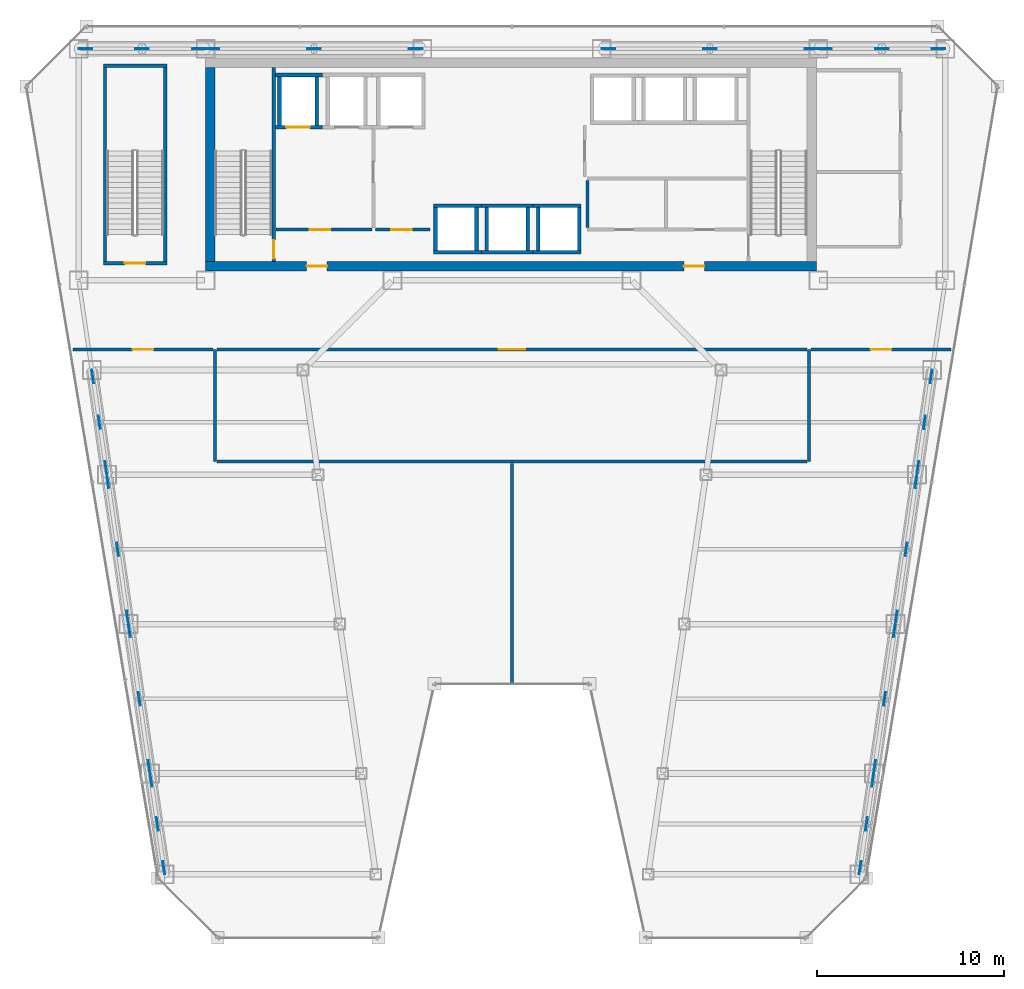
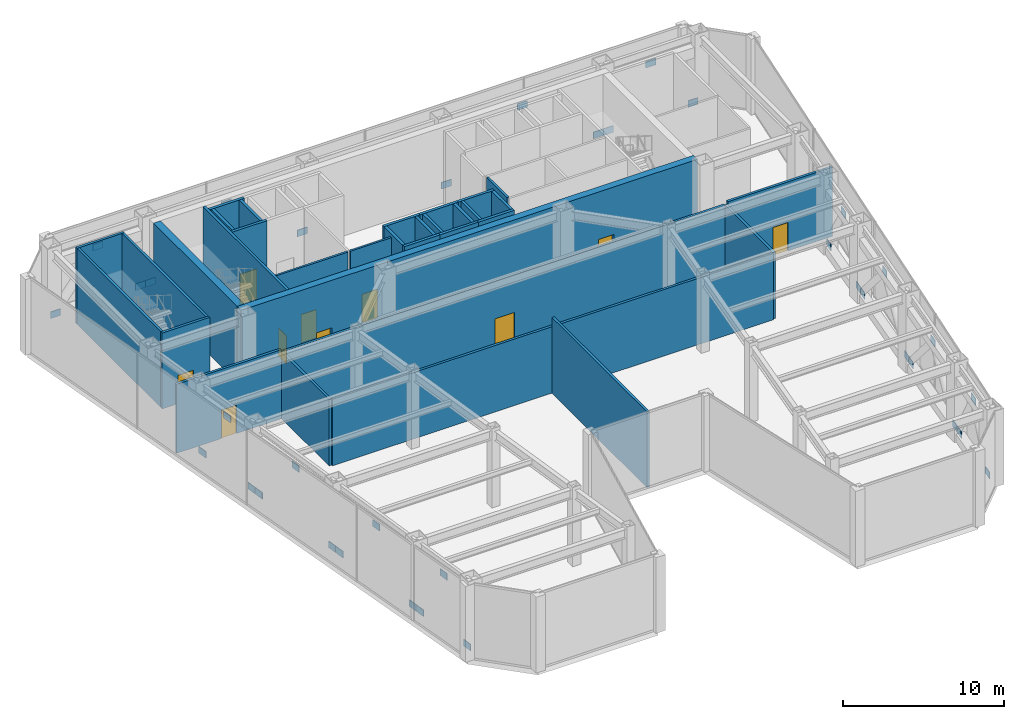
# One storey, part 25 of 30: 36 plates, 33 walls, 10 doors, 10 openings.
"""IFC4 building model written with IfcOpenShell, lengths in metres."""

from ifc_helpers import new_model, si_unit, direction, frame, frame_2d, origin, origin_2d, place, context, subcontext, project, spatial, rectangle, extrude, material, layer, layer_set, type_object, element, fill, save


model = new_model("IFC4")

# Units and contexts
model_context = context("Model", 3, precision=1e-05, world=origin(), true_north=direction((0.0, 1.0)))
body_context = subcontext(model_context, "Body", "Model", "MODEL_VIEW")
ifc_project = project(units=[si_unit("LENGTHUNIT", "METRE"), si_unit("AREAUNIT", "SQUARE_METRE"), si_unit("VOLUMEUNIT", "CUBIC_METRE"), si_unit("PLANEANGLEUNIT", "RADIAN"), si_unit("MASSUNIT", "GRAM", prefix="KILO")], contexts=[model_context])

# Site, building, storey
site_placement = place(None, origin())
site = spatial("IfcSite", under=ifc_project, at=site_placement, CompositionType="ELEMENT")
building_placement = place(site_placement, origin())
building = spatial("IfcBuilding", under=site, at=building_placement, Name="Saevonmaru Cultural Tower", CompositionType="ELEMENT")
storey_placement = place(building_placement, frame((0.0, 0.0, 123.60009765625)))
storey = spatial("IfcBuildingStorey", under=building, at=storey_placement, Name="L26", CompositionType="ELEMENT", Elevation=123.60009765625)

# Plates
ifc_material_1 = material(Name="Steel HSA600 (600 MPa)", Category="steel")
ifc_layer_1 = layer(ifc_material_1, 0.044921875, Name="Steel HSA600 (600 MPa)")
ifc_layer_set_1 = layer_set([ifc_layer_1], Name="Steel HSA600 (600 MPa)")
plate_type_1 = type_object("IfcPlateType", Name="PL-GUSSET-BELT", PredefinedType="USERDEFINED", material=ifc_layer_set_1)
for number, where, z_axis, x_axis, name in (
    (1, (11.35693359375, 10.9560546875, 0.2998046875), (0.0, 0.0, 1.0), (-0.142957148085, 0.989728878942, 0.0), "L26 Truss Base Gusset Plate BW1-1"),
    (2, (10.678955078125, 15.64404296875, 0.2998046875), (0.0, 0.0, 1.0), (-0.142957148085, 0.989728878942, 0.0), "L26 Truss Base Gusset Plate BW1-2"),
    (3, (11.01806640625, 13.300048828125, 4.349853515625), (0.0, 0.0, 1.0), (-0.142957148085, 0.989728878942, 0.0), "L26 Truss Node Gusset Plate BW1"),
    (4, (10.576904296875, 16.35595703125, 0.2998046875), (0.0, 0.0, 1.0), (-0.143008969972, 0.989721392366, 0.0), "L26 Truss Base Gusset Plate BW2-1"),
    (5, (9.52294921875, 23.64404296875, 0.2998046875), (0.0, 0.0, 1.0), (-0.143008969972, 0.989721392366, 0.0), "L26 Truss Base Gusset Plate BW2-2"),
    (6, (10.050048828125, 20.0, 4.349853515625), (0.0, 0.0, 1.0), (-0.143008969972, 0.989721392366, 0.0), "L26 Truss Node Gusset Plate BW2"),
    (7, (9.4208984375, 24.35595703125, 0.2998046875), (0.0, 0.0, 1.0), (-0.142888051626, 0.989738856822, 0.0), "L26 Truss Base Gusset Plate BW3-1"),
    (8, (8.367919921875, 31.64404296875, 0.2998046875), (0.0, 0.0, 1.0), (-0.142888051626, 0.989738856822, 0.0), "L26 Truss Base Gusset Plate BW3-2"),
    (9, (8.89501953125, 28.0, 4.349853515625), (0.0, 0.0, 1.0), (-0.142888051626, 0.989738856822, 0.0), "L26 Truss Node Gusset Plate BW3"),
    (10, (8.26611328125, 32.35595703125, 0.2998046875), (0.0, 0.0, 1.0), (-0.142974422091, 0.989726383718, 0.0), "L26 Truss Base Gusset Plate BW4-1"),
    (11, (7.55908203125, 37.243896484375, 0.2998046875), (0.0, 0.0, 1.0), (-0.142974422091, 0.989726383718, 0.0), "L26 Truss Base Gusset Plate BW4-2"),
    (12, (7.912109375, 34.800048828125, 4.349853515625), (0.0, 0.0, 1.0), (-0.142974422091, 0.989726383718, 0.0), "L26 Truss Node Gusset Plate BW4"),
    (13, (48.64306640625, 10.9560546875, 0.2998046875), (0.0, 0.0, 1.0), (0.142957148085, 0.989728878942, 0.0), "L26 Truss Base Gusset Plate BE1-1"),
    (14, (49.321044921875, 15.64404296875, 0.2998046875), (0.0, 0.0, 1.0), (0.142957148085, 0.989728878942, 0.0), "L26 Truss Base Gusset Plate BE1-2"),
    (15, (48.98193359375, 13.300048828125, 4.349853515625), (0.0, 0.0, 1.0), (0.142957148085, 0.989728878942, 0.0), "L26 Truss Node Gusset Plate BE1"),
    (16, (49.423095703125, 16.35595703125, 0.2998046875), (0.0, 0.0, 1.0), (0.143008969972, 0.989721392366, 0.0), "L26 Truss Base Gusset Plate BE2-1"),
    (17, (50.47705078125, 23.64404296875, 0.2998046875), (0.0, 0.0, 1.0), (0.143008969972, 0.989721392366, 0.0), "L26 Truss Base Gusset Plate BE2-2"),
    (18, (49.949951171875, 20.0, 4.349853515625), (0.0, 0.0, 1.0), (0.143008969972, 0.989721392366, 0.0), "L26 Truss Node Gusset Plate BE2"),
    (19, (50.5791015625, 24.35595703125, 0.2998046875), (0.0, 0.0, 1.0), (0.142888051626, 0.989738856822, 0.0), "L26 Truss Base Gusset Plate BE3-1"),
    (20, (51.632080078125, 31.64404296875, 0.2998046875), (0.0, 0.0, 1.0), (0.142888051626, 0.989738856822, 0.0), "L26 Truss Base Gusset Plate BE3-2"),
    (21, (51.10498046875, 28.0, 4.349853515625), (0.0, 0.0, 1.0), (0.142888051626, 0.989738856822, 0.0), "L26 Truss Node Gusset Plate BE3"),
    (22, (51.73388671875, 32.35595703125, 0.2998046875), (0.0, 0.0, 1.0), (0.142974422091, 0.989726383718, 0.0), "L26 Truss Base Gusset Plate BE4-1"),
    (23, (52.44091796875, 37.243896484375, 0.2998046875), (0.0, 0.0, 1.0), (0.142974422091, 0.989726383718, 0.0), "L26 Truss Base Gusset Plate BE4-2"),
    (24, (52.0869140625, 34.800048828125, 4.349853515625), (0.0, 0.0, 1.0), (0.142974422091, 0.989726383718, 0.0), "L26 Truss Node Gusset Plate BE4"),
):
    element("IfcPlate", number, at=place(storey_placement, frame(where, z_axis=z_axis, x_axis=x_axis)), inside=storey, type_object=plate_type_1, Name=name, ObjectType="GUSSET_PLATE", PredefinedType="USERDEFINED", context=body_context, shape_type="SweptSolid", body=[
        extrude(rectangle(XDim=0.719970703125, YDim=0.044921875, at=origin_2d()), origin(), (0.0, 0.0, 1.0), 0.5),
    ])
ifc_layer_2 = layer(ifc_material_1, 0.044921875, Name="Steel HSA600 (600 MPa)")
ifc_layer_set_2 = layer_set([ifc_layer_2], Name="Steel HSA600 (600 MPa)")
plate_type_2 = type_object("IfcPlateType", Name="PL-GUSSET-INT", PredefinedType="USERDEFINED", material=ifc_layer_set_2)
for number, where, z_axis, x_axis, name in (
    (25, (13.9599609375, 54.800048828125, 0.2998046875), (0.0, 0.0, 1.0), (1.0, 0.0, 0.0), "L26 Truss Base Gusset Plate OW1-1"),
    (26, (24.840087890625, 54.800048828125, 0.2998046875), (0.0, 0.0, 1.0), (1.0, 0.0, 0.0), "L26 Truss Base Gusset Plate OW1-2"),
    (27, (19.39990234375, 54.800048828125, 4.349853515625), (0.0, 0.0, 1.0), (1.0, 0.0, 0.0), "L26 Truss Node Gusset Plate OW1"),
    (28, (35.159912109375, 54.800048828125, 0.2998046875), (0.0, 0.0, 1.0), (1.0, 0.0, 0.0), "L26 Truss Base Gusset Plate OE1-1"),
    (29, (46.0400390625, 54.800048828125, 0.2998046875), (0.0, 0.0, 1.0), (1.0, 0.0, 0.0), "L26 Truss Base Gusset Plate OE1-2"),
    (30, (40.60009765625, 54.800048828125, 4.349853515625), (0.0, 0.0, 1.0), (1.0, 0.0, 0.0), "L26 Truss Node Gusset Plate OE1"),
    (31, (7.159912109375, 54.800048828125, 0.2998046875), (0.0, 0.0, 1.0), (1.0, 0.0, 0.0), "L26 Truss Base Gusset Plate OW2-1"),
    (32, (13.239990234375, 54.800048828125, 0.2998046875), (0.0, 0.0, 1.0), (1.0, 0.0, 0.0), "L26 Truss Base Gusset Plate OW2-2"),
    (33, (10.199951171875, 54.800048828125, 4.349853515625), (0.0, 0.0, 1.0), (1.0, 0.0, 0.0), "L26 Truss Node Gusset Plate OW2"),
    (34, (46.760009765625, 54.800048828125, 0.2998046875), (0.0, 0.0, 1.0), (1.0, 0.0, 0.0), "L26 Truss Base Gusset Plate OE2-1"),
    (35, (52.840087890625, 54.800048828125, 0.2998046875), (0.0, 0.0, 1.0), (1.0, 0.0, 0.0), "L26 Truss Base Gusset Plate OE2-2"),
    (36, (49.800048828125, 54.800048828125, 4.349853515625), (0.0, 0.0, 1.0), (1.0, 0.0, 0.0), "L26 Truss Node Gusset Plate OE2"),
):
    element("IfcPlate", number, at=place(storey_placement, frame(where, z_axis=z_axis, x_axis=x_axis)), inside=storey, type_object=plate_type_2, Name=name, ObjectType="GUSSET_PLATE", PredefinedType="USERDEFINED", context=body_context, shape_type="SweptSolid", body=[
        extrude(rectangle(XDim=0.719970703125, YDim=0.044921875, at=origin_2d()), origin(), (0.0, 0.0, 1.0), 0.5),
    ])

# Wall, openings, doors
ifc_material_2 = material(Name="Concrete C60/75", Category="concrete")
ifc_layer_3 = layer(ifc_material_2, 0.5, Name="Concrete C60/75")
ifc_layer_set_3 = layer_set([ifc_layer_3], Name="Concrete C60/75")
wall_type_1 = type_object("IfcWallType", Name="WL-CORE-500", PredefinedType="SHEAR", material=ifc_layer_set_3)
wall_1_placement = place(storey_placement, frame((13.60009765625, 43.14990234375, 0.0), z_axis=(0.0, 0.0, 1.0), x_axis=(1.0, 0.0, 0.0)))
wall_1 = element("IfcWall", 37, at=wall_1_placement, inside=storey, type_object=wall_type_1, Name="L26 Tower RC core shear wall S", PredefinedType="SHEAR", context=body_context, shape_type="SweptSolid", body=[
    extrude(rectangle(XDim=32.699951171875, YDim=0.5, at=frame_2d((16.35009765625, 0.0))), origin(), (0.0, 0.0, 1.0), 5.75),
])
opening_1_placement = place(wall_1_placement, frame((5.39990234375, 0.0, 0.0)))
opening_1 = element("IfcOpeningElement", 38, at=opening_1_placement, cuts=wall_1, Name="Opening FD-2", PredefinedType="OPENING", context=body_context, shape_type="SweptSolid", body=[
    extrude(rectangle(XDim=1.10009765625, YDim=2.14990234375, at=frame_2d((0.550048828125, 1.074951171875))), frame((0.0, 0.260009765625, 0.0), z_axis=(0.0, -1.0, 0.0), x_axis=(1.0, 0.0, 0.0)), (0.0, 0.0, 1.0), 0.52001953125),
])
opening_2_placement = place(wall_1_placement, frame((25.60009765625, 0.0, 0.0)))
opening_2 = element("IfcOpeningElement", 39, at=opening_2_placement, cuts=wall_1, Name="Opening FD-2", PredefinedType="OPENING", context=body_context, shape_type="SweptSolid", body=[
    extrude(rectangle(XDim=1.10009765625, YDim=2.14990234375, at=frame_2d((0.550048828125, 1.074951171875))), frame((0.0, 0.260009765625, 0.0), z_axis=(0.0, -1.0, 0.0), x_axis=(1.0, 0.0, 0.0)), (0.0, 0.0, 1.0), 0.52001953125),
])
ifc_material_3 = material(Name="Satin Bronze Anodised Aluminium", Category="aluminium")
door_type_1 = type_object("IfcDoorType", Name="DR-FD60-1100", OperationType="SINGLE_SWING_LEFT", PredefinedType="DOOR", material=ifc_material_3)
door_1_placement = place(opening_1_placement, origin())
door_1 = element("IfcDoor", 40, at=door_1_placement, inside=storey, type_object=door_type_1, Name="L26 Core West Lobby Fire Door", OperationType="SINGLE_SWING_LEFT", OverallHeight=2.14990234375, OverallWidth=1.10009765625, PredefinedType="DOOR", context=body_context, shape_type="SweptSolid", body=[
    extrude(rectangle(XDim=1.10009765625, YDim=2.14990234375, at=frame_2d((0.550048828125, 1.074951171875))), frame((0.0, 0.02490234375, 0.0), z_axis=(0.0, -1.0, 0.0), x_axis=(1.0, 0.0, 0.0)), (0.0, 0.0, 1.0), 0.050048828125),
])
fill(opening_1, door_1)
door_2_placement = place(opening_2_placement, origin())
door_2 = element("IfcDoor", 41, at=door_2_placement, inside=storey, type_object=door_type_1, Name="L26 Core East Lobby Fire Door", OperationType="SINGLE_SWING_LEFT", OverallHeight=2.14990234375, OverallWidth=1.10009765625, PredefinedType="DOOR", context=body_context, shape_type="SweptSolid", body=[
    extrude(rectangle(XDim=1.10009765625, YDim=2.14990234375, at=frame_2d((0.550048828125, 1.074951171875))), frame((0.0, 0.02490234375, 0.0), z_axis=(0.0, -1.0, 0.0), x_axis=(1.0, 0.0, 0.0)), (0.0, 0.0, 1.0), 0.050048828125),
])
fill(opening_2, door_2)

# Wall
wall_2_placement = place(storey_placement, frame((13.85009765625, 43.39990234375, 0.0), z_axis=(0.0, 0.0, 1.0), x_axis=(0.0, 1.0, 0.0)))
element("IfcWall", 42, at=wall_2_placement, inside=storey, type_object=wall_type_1, Name="L26 Tower RC core shear wall W", PredefinedType="SHEAR", context=body_context, shape_type="SweptSolid", body=[
    extrude(rectangle(XDim=10.400146484375, YDim=0.5, at=frame_2d((5.2001953125, 0.0))), origin(), (0.0, 0.0, 1.0), 5.75),
])

# Wall, opening, door
ifc_material_4 = material(Name="Gypsum Fireboard Partition", Category="gypsum")
ifc_layer_4 = layer(ifc_material_4, 0.14990234375, Name="Gypsum Fireboard Partition")
ifc_layer_set_4 = layer_set([ifc_layer_4], Name="Gypsum Fireboard Partition")
wall_type_2 = type_object("IfcWallType", Name="WL-CORE-PART-150", PredefinedType="PARTITIONING", material=ifc_layer_set_4)
wall_3_placement = place(storey_placement, frame((17.360107421875, 45.1201171875, 0.0), z_axis=(0.0, 0.0, 1.0), x_axis=(1.0, 0.0, 0.0)))
wall_3 = element("IfcWall", 43, at=wall_3_placement, inside=storey, type_object=wall_type_2, Name="L26 Firefighting Lift Lobby South Wall", PredefinedType="PARTITIONING", context=body_context, shape_type="SweptSolid", body=[
    extrude(rectangle(XDim=5.139892578125, YDim=0.14990234375, at=frame_2d((2.56982421875, 0.0))), origin(), (0.0, 0.0, 1.0), 5.75),
])
opening_3_placement = place(wall_3_placement, frame((1.800048828125, 0.0, 0.0)))
opening_3 = element("IfcOpeningElement", 44, at=opening_3_placement, cuts=wall_3, Name="Opening FD-2", PredefinedType="OPENING", context=body_context, shape_type="SweptSolid", body=[
    extrude(rectangle(XDim=1.10009765625, YDim=2.14990234375, at=frame_2d((0.550048828125, 1.074951171875))), frame((0.0, 0.0849609375, 0.0), z_axis=(0.0, -1.0, 0.0), x_axis=(1.0, 0.0, 0.0)), (0.0, 0.0, 1.0), 0.169921875),
])
door_3_placement = place(opening_3_placement, origin())
door_3 = element("IfcDoor", 45, at=door_3_placement, inside=storey, type_object=door_type_1, Name="L26 Firefighting Lift Lobby South Door", OperationType="SINGLE_SWING_LEFT", OverallHeight=2.14990234375, OverallWidth=1.10009765625, PredefinedType="DOOR", context=body_context, shape_type="SweptSolid", body=[
    extrude(rectangle(XDim=1.10009765625, YDim=2.14990234375, at=frame_2d((0.550048828125, 1.074951171875))), frame((0.0, 0.02490234375, 0.0), z_axis=(0.0, -1.0, 0.0), x_axis=(1.0, 0.0, 0.0)), (0.0, 0.0, 1.0), 0.050048828125),
])
fill(opening_3, door_3)

wall_4_placement = place(storey_placement, frame((22.679931640625, 45.1201171875, 0.0), z_axis=(0.0, 0.0, 1.0), x_axis=(1.0, 0.0, 0.0)))
wall_4 = element("IfcWall", 46, at=wall_4_placement, inside=storey, type_object=wall_type_2, Name="L26 Service Lift Vestibule Wall", PredefinedType="PARTITIONING", context=body_context, shape_type="SweptSolid", body=[
    extrude(rectangle(XDim=2.920166015625, YDim=0.14990234375, at=frame_2d((1.4599609375, 0.0))), origin(), (0.0, 0.0, 1.0), 5.75),
])
opening_4_placement = place(wall_4_placement, frame((0.85009765625, 0.0, 0.0)))
opening_4 = element("IfcOpeningElement", 47, at=opening_4_placement, cuts=wall_4, Name="Opening FD-2", PredefinedType="OPENING", context=body_context, shape_type="SweptSolid", body=[
    extrude(rectangle(XDim=1.10009765625, YDim=2.14990234375, at=frame_2d((0.550048828125, 1.074951171875))), frame((0.0, 0.0849609375, 0.0), z_axis=(0.0, -1.0, 0.0), x_axis=(1.0, 0.0, 0.0)), (0.0, 0.0, 1.0), 0.169921875),
])
door_4_placement = place(opening_4_placement, origin())
door_4 = element("IfcDoor", 48, at=door_4_placement, inside=storey, type_object=door_type_1, Name="L26 Service Lift Vestibule Door", OperationType="SINGLE_SWING_LEFT", OverallHeight=2.14990234375, OverallWidth=1.10009765625, PredefinedType="DOOR", context=body_context, shape_type="SweptSolid", body=[
    extrude(rectangle(XDim=1.10009765625, YDim=2.14990234375, at=frame_2d((0.550048828125, 1.074951171875))), frame((0.0, 0.02490234375, 0.0), z_axis=(0.0, -1.0, 0.0), x_axis=(1.0, 0.0, 0.0)), (0.0, 0.0, 1.0), 0.050048828125),
])
fill(opening_4, door_4)

# Walls
wall_5_placement = place(storey_placement, frame((34.050048828125, 45.219970703125, 0.0), z_axis=(0.0, 0.0, 1.0), x_axis=(0.0, 1.0, 0.0)))
element("IfcWall", 49, at=wall_5_placement, inside=storey, type_object=wall_type_2, Name="L26 Core Plant West Wall", PredefinedType="PARTITIONING", context=body_context, shape_type="SweptSolid", body=[
    extrude(rectangle(XDim=2.530029296875, YDim=0.14990234375, at=frame_2d((1.26513671875, 0.0))), origin(), (0.0, 0.0, 1.0), 5.75),
])
ifc_layer_5 = layer(ifc_material_4, 0.179931640625, Name="Gypsum Fireboard Partition")
ifc_layer_set_5 = layer_set([ifc_layer_5], Name="Gypsum Fireboard Partition")
wall_type_3 = type_object("IfcWallType", Name="WL-PART-PLANT-180", PredefinedType="PARTITIONING", material=ifc_layer_set_5)
for number, where, z_axis, x_axis, name in (
    (50, (14.10009765625, 32.699951171875, 0.0), (0.0, 0.0, 1.0), (0.0, 1.0, 0.0), "L26 Main Refuge West Wall"),
    (51, (45.89990234375, 32.699951171875, 0.0), (0.0, 0.0, 1.0), (0.0, 1.0, 0.0), "L26 Main Refuge East Wall"),
):
    element("IfcWall", number, at=place(storey_placement, frame(where, z_axis=z_axis, x_axis=x_axis)), inside=storey, type_object=wall_type_3, Name=name, PredefinedType="PARTITIONING", context=body_context, shape_type="SweptSolid", body=[
        extrude(rectangle(XDim=6.0, YDim=0.179931640625, at=frame_2d((3.0, 0.0))), origin(), (0.0, 0.0, 1.0), 5.034912109375),
    ])
wall_6_placement = place(storey_placement, frame((14.2099609375, 32.699951171875, 0.0), z_axis=(0.0, 0.0, 1.0), x_axis=(1.0, 0.0, 0.0)))
element("IfcWall", 52, at=wall_6_placement, inside=storey, type_object=wall_type_3, Name="L26 Main Refuge South Wall", PredefinedType="PARTITIONING", context=body_context, shape_type="SweptSolid", body=[
    extrude(rectangle(XDim=31.580078125, YDim=0.179931640625, at=frame_2d((15.7900390625, 0.0))), origin(), (0.0, 0.0, 1.0), 5.034912109375),
])

# Wall, opening, door
wall_7_placement = place(storey_placement, frame((14.2099609375, 38.699951171875, 0.0), z_axis=(0.0, 0.0, 1.0), x_axis=(1.0, 0.0, 0.0)))
wall_7 = element("IfcWall", 53, at=wall_7_placement, inside=storey, type_object=wall_type_3, Name="L26 Main Refuge Promenade Wall", PredefinedType="PARTITIONING", context=body_context, shape_type="SweptSolid", body=[
    extrude(rectangle(XDim=31.580078125, YDim=0.179931640625, at=frame_2d((15.7900390625, 0.0))), origin(), (0.0, 0.0, 1.0), 5.034912109375),
])
opening_5_placement = place(wall_7_placement, frame((15.090087890625, 0.0, 0.0)))
opening_5 = element("IfcOpeningElement", 54, at=opening_5_placement, cuts=wall_7, Name="Opening FD-0", PredefinedType="OPENING", context=body_context, shape_type="SweptSolid", body=[
    extrude(rectangle(XDim=1.39990234375, YDim=2.199951171875, at=frame_2d((0.699951171875, 1.10009765625))), frame((0.0, 0.10009765625, 0.0), z_axis=(0.0, -1.0, 0.0), x_axis=(1.0, 0.0, 0.0)), (0.0, 0.0, 1.0), 0.199951171875),
])
door_type_2 = type_object("IfcDoorType", Name="DR-FD60-1400", OperationType="DOUBLE_DOOR_SINGLE_SWING", PredefinedType="DOOR", material=ifc_material_3)
door_5_placement = place(opening_5_placement, origin())
door_5 = element("IfcDoor", 55, at=door_5_placement, inside=storey, type_object=door_type_2, Name="L26 Main Fire Safety Refuge Hall Door", OperationType="DOUBLE_DOOR_SINGLE_SWING", OverallHeight=2.199951171875, OverallWidth=1.39990234375, PredefinedType="DOOR", context=body_context, shape_type="SweptSolid", body=[
    extrude(rectangle(XDim=1.39990234375, YDim=2.199951171875, at=frame_2d((0.699951171875, 1.10009765625))), frame((0.0, 0.02490234375, 0.0), z_axis=(0.0, -1.0, 0.0), x_axis=(1.0, 0.0, 0.0)), (0.0, 0.0, 1.0), 0.050048828125),
])
fill(opening_5, door_5)

# Wall
wall_8_placement = place(storey_placement, frame((30.0, 20.804931640625, 0.0), z_axis=(0.0, 0.0, 1.0), x_axis=(0.0, 1.0, 0.0)))
element("IfcWall", 56, at=wall_8_placement, inside=storey, type_object=wall_type_3, Name="L26 Plant Compartment Split", PredefinedType="PARTITIONING", context=body_context, shape_type="SweptSolid", body=[
    extrude(rectangle(XDim=11.78515625, YDim=0.179931640625, at=frame_2d((5.892578125, 0.0))), origin(), (0.0, 0.0, 1.0), 5.75),
])

# Wall, opening, door
wall_9_placement = place(storey_placement, frame((6.498779296875, 38.699951171875, 0.0), z_axis=(0.0, 0.0, 1.0), x_axis=(1.0, 0.0, 0.0)))
wall_9 = element("IfcWall", 57, at=wall_9_placement, inside=storey, type_object=wall_type_3, Name="L26 West AHU Plant North Wall", PredefinedType="PARTITIONING", context=body_context, shape_type="SweptSolid", body=[
    extrude(rectangle(XDim=7.4912109375, YDim=0.179931640625, at=frame_2d((3.74560546875, 0.0))), origin(), (0.0, 0.0, 1.0), 5.23486328125),
])
opening_6_placement = place(wall_9_placement, frame((3.196044921875, 0.0, 0.0)))
opening_6 = element("IfcOpeningElement", 58, at=opening_6_placement, cuts=wall_9, Name="Opening FD-2", PredefinedType="OPENING", context=body_context, shape_type="SweptSolid", body=[
    extrude(rectangle(XDim=1.10009765625, YDim=2.14990234375, at=frame_2d((0.550048828125, 1.074951171875))), frame((0.0, 0.10009765625, 0.0), z_axis=(0.0, -1.0, 0.0), x_axis=(1.0, 0.0, 0.0)), (0.0, 0.0, 1.0), 0.199951171875),
])
door_6_placement = place(opening_6_placement, origin())
door_6 = element("IfcDoor", 59, at=door_6_placement, inside=storey, type_object=door_type_1, Name="L26 Primary AHU Plant Door", OperationType="SINGLE_SWING_LEFT", OverallHeight=2.14990234375, OverallWidth=1.10009765625, PredefinedType="DOOR", context=body_context, shape_type="SweptSolid", body=[
    extrude(rectangle(XDim=1.10009765625, YDim=2.14990234375, at=frame_2d((0.550048828125, 1.074951171875))), frame((0.0, 0.02490234375, 0.0), z_axis=(0.0, -1.0, 0.0), x_axis=(1.0, 0.0, 0.0)), (0.0, 0.0, 1.0), 0.050048828125),
])
fill(opening_6, door_6)

wall_10_placement = place(storey_placement, frame((46.010009765625, 38.699951171875, 0.0), z_axis=(0.0, 0.0, 1.0), x_axis=(1.0, 0.0, 0.0)))
wall_10 = element("IfcWall", 60, at=wall_10_placement, inside=storey, type_object=wall_type_3, Name="L26 East Pump Plant North Wall", PredefinedType="PARTITIONING", context=body_context, shape_type="SweptSolid", body=[
    extrude(rectangle(XDim=7.4912109375, YDim=0.179931640625, at=frame_2d((3.74560546875, 0.0))), origin(), (0.0, 0.0, 1.0), 5.23486328125),
])
opening_7_placement = place(wall_10_placement, frame((3.196044921875, 0.0, 0.0)))
opening_7 = element("IfcOpeningElement", 61, at=opening_7_placement, cuts=wall_10, Name="Opening FD-2", PredefinedType="OPENING", context=body_context, shape_type="SweptSolid", body=[
    extrude(rectangle(XDim=1.10009765625, YDim=2.14990234375, at=frame_2d((0.550048828125, 1.074951171875))), frame((0.0, 0.10009765625, 0.0), z_axis=(0.0, -1.0, 0.0), x_axis=(1.0, 0.0, 0.0)), (0.0, 0.0, 1.0), 0.199951171875),
])
door_7_placement = place(opening_7_placement, origin())
door_7 = element("IfcDoor", 62, at=door_7_placement, inside=storey, type_object=door_type_1, Name="L26 Fire Pump Plant Door", OperationType="SINGLE_SWING_RIGHT", OverallHeight=2.14990234375, OverallWidth=1.10009765625, PredefinedType="DOOR", context=body_context, shape_type="SweptSolid", body=[
    extrude(rectangle(XDim=1.10009765625, YDim=2.14990234375, at=frame_2d((0.550048828125, 1.074951171875))), frame((0.0, 0.02490234375, 0.0), z_axis=(0.0, -1.0, 0.0), x_axis=(1.0, 0.0, 0.0)), (0.0, 0.0, 1.0), 0.050048828125),
])
fill(opening_7, door_7)

ifc_material_5 = material(Name="Concrete C40/50", Category="concrete")
ifc_layer_6 = layer(ifc_material_5, 0.199951171875, Name="Concrete C40/50")
ifc_layer_set_6 = layer_set([ifc_layer_6], Name="Concrete C40/50")
wall_type_4 = type_object("IfcWallType", Name="WL-SHAFT-200", PredefinedType="SHEAR", material=ifc_layer_set_6)
wall_11_placement = place(storey_placement, frame((17.330078125, 50.60009765625, 0.0), z_axis=(0.0, 0.0, 1.0), x_axis=(1.0, 0.0, 0.0)))
wall_11 = element("IfcWall", 63, at=wall_11_placement, inside=storey, type_object=wall_type_4, Name="L26 Lift FFL-1 Hoistway Wall S", PredefinedType="SHEAR", context=body_context, shape_type="SweptSolid", body=[
    extrude(rectangle(XDim=2.52001953125, YDim=0.199951171875, at=frame_2d((1.260009765625, 0.0))), origin(), (0.0, 0.0, 1.0), 5.75),
])
opening_8_placement = place(wall_11_placement, frame((0.594970703125, 0.0, 0.0)))
opening_8 = element("IfcOpeningElement", 64, at=opening_8_placement, cuts=wall_11, Name="Opening LD-2", PredefinedType="OPENING", context=body_context, shape_type="SweptSolid", body=[
    extrude(rectangle(XDim=1.25, YDim=2.300048828125, at=frame_2d((0.625, 1.14990234375))), frame((0.0, 0.10986328125, 0.0), z_axis=(0.0, -1.0, 0.0), x_axis=(1.0, 0.0, 0.0)), (0.0, 0.0, 1.0), 0.219970703125),
])
ifc_material_6 = material(Name="Stainless Steel 316", Category="steel")
door_type_3 = type_object("IfcDoorType", Name="DR-LIFT-1250", OperationType="SLIDING_TO_LEFT", PredefinedType="DOOR", material=ifc_material_6)
door_8_placement = place(opening_8_placement, origin())
door_8 = element("IfcDoor", 65, at=door_8_placement, inside=storey, type_object=door_type_3, Name="L26 Lift FFL-1 Sliding Landing Door", OperationType="SLIDING_TO_LEFT", OverallHeight=2.300048828125, OverallWidth=1.25, PredefinedType="DOOR", context=body_context, shape_type="SweptSolid", body=[
    extrude(rectangle(XDim=1.25, YDim=2.300048828125, at=frame_2d((0.625, 1.14990234375))), frame((0.0, 0.02490234375, 0.0), z_axis=(0.0, -1.0, 0.0), x_axis=(1.0, 0.0, 0.0)), (0.0, 0.0, 1.0), 0.050048828125),
])
fill(opening_8, door_8)

# Walls
wall_12_placement = place(storey_placement, frame((17.330078125, 53.39990234375, 0.0), z_axis=(0.0, 0.0, 1.0), x_axis=(1.0, 0.0, 0.0)))
element("IfcWall", 66, at=wall_12_placement, inside=storey, type_object=wall_type_4, Name="L26 Lift FFL-1 Hoistway Wall N", PredefinedType="SHEAR", context=body_context, shape_type="SweptSolid", body=[
    extrude(rectangle(XDim=2.52001953125, YDim=0.199951171875, at=frame_2d((1.260009765625, 0.0))), origin(), (0.0, 0.0, 1.0), 5.75),
])
for number, where, z_axis, x_axis, name in (
    (67, (17.550048828125, 50.699951171875, 0.0), (0.0, 0.0, 1.0), (0.0, 1.0, 0.0), "L26 Lift FFL-1 Hoistway Wall W"),
    (68, (19.550048828125, 50.699951171875, 0.0), (0.0, 0.0, 1.0), (0.0, 1.0, 0.0), "L26 Lift FFL-1 Hoistway Wall E"),
):
    element("IfcWall", number, at=place(storey_placement, frame(where, z_axis=z_axis, x_axis=x_axis)), inside=storey, type_object=wall_type_4, Name=name, PredefinedType="SHEAR", context=body_context, shape_type="SweptSolid", body=[
        extrude(rectangle(XDim=2.60009765625, YDim=0.199951171875, at=frame_2d((1.300048828125, 0.0))), origin(), (0.0, 0.0, 1.0), 5.75),
    ])
for number, where, z_axis, x_axis, name in (
    (69, (25.800048828125, 43.89990234375, 0.0), (0.0, 0.0, 1.0), (1.0, 0.0, 0.0), "L26 Lift PL-M1 Hoistway Wall S"),
    (70, (25.800048828125, 46.39990234375, 0.0), (0.0, 0.0, 1.0), (1.0, 0.0, 0.0), "L26 Lift PL-M1 Hoistway Wall N"),
):
    element("IfcWall", number, at=place(storey_placement, frame(where, z_axis=z_axis, x_axis=x_axis)), inside=storey, type_object=wall_type_4, Name=name, PredefinedType="SHEAR", context=body_context, shape_type="SweptSolid", body=[
        extrude(rectangle(XDim=2.574951171875, YDim=0.199951171875, at=frame_2d((1.28759765625, 0.0))), origin(), (0.0, 0.0, 1.0), 5.75),
    ])
for number, where, z_axis, x_axis, name in (
    (71, (25.89990234375, 44.0, 0.0), (0.0, 0.0, 1.0), (0.0, 1.0, 0.0), "L26 Lift PL-M1 Hoistway Wall W"),
    (72, (28.10009765625, 44.0, 0.0), (0.0, 0.0, 1.0), (0.0, 1.0, 0.0), "L26 Lift PL-M1 Hoistway Wall E"),
):
    element("IfcWall", number, at=place(storey_placement, frame(where, z_axis=z_axis, x_axis=x_axis)), inside=storey, type_object=wall_type_4, Name=name, PredefinedType="SHEAR", context=body_context, shape_type="SweptSolid", body=[
        extrude(rectangle(XDim=2.300048828125, YDim=0.199951171875, at=frame_2d((1.14990234375, 0.0))), origin(), (0.0, 0.0, 1.0), 5.75),
    ])
for number, where, z_axis, x_axis, name in (
    (73, (28.375, 43.89990234375, 0.0), (0.0, 0.0, 1.0), (1.0, 0.0, 0.0), "L26 Lift PL-M2 Hoistway Wall S"),
    (74, (28.375, 46.39990234375, 0.0), (0.0, 0.0, 1.0), (1.0, 0.0, 0.0), "L26 Lift PL-M2 Hoistway Wall N"),
):
    element("IfcWall", number, at=place(storey_placement, frame(where, z_axis=z_axis, x_axis=x_axis)), inside=storey, type_object=wall_type_4, Name=name, PredefinedType="SHEAR", context=body_context, shape_type="SweptSolid", body=[
        extrude(rectangle(XDim=2.75, YDim=0.199951171875, at=frame_2d((1.375, 0.0))), origin(), (0.0, 0.0, 1.0), 5.75),
    ])
for number, where, z_axis, x_axis, name in (
    (75, (28.64990234375, 44.0, 0.0), (0.0, 0.0, 1.0), (0.0, 1.0, 0.0), "L26 Lift PL-M2 Hoistway Wall W"),
    (76, (30.85009765625, 44.0, 0.0), (0.0, 0.0, 1.0), (0.0, 1.0, 0.0), "L26 Lift PL-M2 Hoistway Wall E"),
):
    element("IfcWall", number, at=place(storey_placement, frame(where, z_axis=z_axis, x_axis=x_axis)), inside=storey, type_object=wall_type_4, Name=name, PredefinedType="SHEAR", context=body_context, shape_type="SweptSolid", body=[
        extrude(rectangle(XDim=2.300048828125, YDim=0.199951171875, at=frame_2d((1.14990234375, 0.0))), origin(), (0.0, 0.0, 1.0), 5.75),
    ])
for number, where, z_axis, x_axis, name in (
    (77, (31.125, 43.89990234375, 0.0), (0.0, 0.0, 1.0), (1.0, 0.0, 0.0), "L26 Lift PL-M3 Hoistway Wall S"),
    (78, (31.125, 46.39990234375, 0.0), (0.0, 0.0, 1.0), (1.0, 0.0, 0.0), "L26 Lift PL-M3 Hoistway Wall N"),
):
    element("IfcWall", number, at=place(storey_placement, frame(where, z_axis=z_axis, x_axis=x_axis)), inside=storey, type_object=wall_type_4, Name=name, PredefinedType="SHEAR", context=body_context, shape_type="SweptSolid", body=[
        extrude(rectangle(XDim=2.574951171875, YDim=0.199951171875, at=frame_2d((1.28759765625, 0.0))), origin(), (0.0, 0.0, 1.0), 5.75),
    ])
for number, where, z_axis, x_axis, name in (
    (79, (31.39990234375, 44.0, 0.0), (0.0, 0.0, 1.0), (0.0, 1.0, 0.0), "L26 Lift PL-M3 Hoistway Wall W"),
    (80, (33.60009765625, 44.0, 0.0), (0.0, 0.0, 1.0), (0.0, 1.0, 0.0), "L26 Lift PL-M3 Hoistway Wall E"),
):
    element("IfcWall", number, at=place(storey_placement, frame(where, z_axis=z_axis, x_axis=x_axis)), inside=storey, type_object=wall_type_4, Name=name, PredefinedType="SHEAR", context=body_context, shape_type="SweptSolid", body=[
        extrude(rectangle(XDim=2.300048828125, YDim=0.199951171875, at=frame_2d((1.14990234375, 0.0))), origin(), (0.0, 0.0, 1.0), 5.75),
    ])

# Wall, opening, door
ifc_layer_7 = layer(ifc_material_5, 0.179931640625, Name="Concrete C40/50")
ifc_layer_set_7 = layer_set([ifc_layer_7], Name="Concrete C40/50")
wall_type_5 = type_object("IfcWallType", Name="WL-STSHAFT-180", PredefinedType="SHEAR", material=ifc_layer_set_7)
wall_13_placement = place(storey_placement, frame((17.239990234375, 43.39990234375, 0.0), z_axis=(0.0, 0.0, 1.0), x_axis=(0.0, 1.0, 0.0)))
wall_13 = element("IfcWall", 81, at=wall_13_placement, inside=storey, type_object=wall_type_5, Name="L26 Stair ST-1 Structural Shaft Wall 1", PredefinedType="SHEAR", context=body_context, shape_type="SweptSolid", body=[
    extrude(rectangle(XDim=10.400146484375, YDim=0.179931640625, at=frame_2d((5.2001953125, 0.0))), origin(), (0.0, 0.0, 1.0), 5.75),
])
opening_9_placement = place(wall_13_placement, frame((0.159912109375, 0.0, 0.0)))
opening_9 = element("IfcOpeningElement", 82, at=opening_9_placement, cuts=wall_13, Name="Opening FD-3", PredefinedType="OPENING", context=body_context, shape_type="SweptSolid", body=[
    extrude(rectangle(XDim=1.0, YDim=2.14990234375, at=frame_2d((0.5, 1.074951171875))), frame((0.0, 0.10009765625, 0.0), z_axis=(0.0, -1.0, 0.0), x_axis=(1.0, 0.0, 0.0)), (0.0, 0.0, 1.0), 0.199951171875),
])
door_type_4 = type_object("IfcDoorType", Name="DR-FD60-1000", OperationType="SINGLE_SWING_RIGHT", PredefinedType="DOOR", material=ifc_material_3)
door_9_placement = place(opening_9_placement, origin())
door_9 = element("IfcDoor", 83, at=door_9_placement, inside=storey, type_object=door_type_4, Name="L26 Protected Stair ST-1 Fire Door", OperationType="SINGLE_SWING_RIGHT", OverallHeight=2.14990234375, OverallWidth=1.0, PredefinedType="DOOR", context=body_context, shape_type="SweptSolid", body=[
    extrude(rectangle(XDim=1.0, YDim=2.14990234375, at=frame_2d((0.5, 1.074951171875))), frame((0.0, 0.02490234375, 0.0), z_axis=(0.0, -1.0, 0.0), x_axis=(1.0, 0.0, 0.0)), (0.0, 0.0, 1.0), 0.050048828125),
])
fill(opening_9, door_9)

wall_14_placement = place(storey_placement, frame((8.1201171875, 43.31005859375, 0.0), z_axis=(0.0, 0.0, 1.0), x_axis=(1.0, 0.0, 0.0)))
wall_14 = element("IfcWall", 84, at=wall_14_placement, inside=storey, type_object=wall_type_5, Name="L26 Stair ST-3 Structural Shaft Wall 1", PredefinedType="SHEAR", context=body_context, shape_type="SweptSolid", body=[
    extrude(rectangle(XDim=3.409912109375, YDim=0.179931640625, at=frame_2d((1.705078125, 0.0))), origin(), (0.0, 0.0, 1.0), 5.75),
])
opening_10_placement = place(wall_14_placement, frame((1.14990234375, 0.0, 0.0)))
opening_10 = element("IfcOpeningElement", 85, at=opening_10_placement, cuts=wall_14, Name="Opening FD-2", PredefinedType="OPENING", context=body_context, shape_type="SweptSolid", body=[
    extrude(rectangle(XDim=1.10009765625, YDim=2.14990234375, at=frame_2d((0.550048828125, 1.074951171875))), frame((0.0, 0.10009765625, 0.0), z_axis=(0.0, -1.0, 0.0), x_axis=(1.0, 0.0, 0.0)), (0.0, 0.0, 1.0), 0.199951171875),
])
door_10_placement = place(opening_10_placement, origin())
door_10 = element("IfcDoor", 86, at=door_10_placement, inside=storey, type_object=door_type_1, Name="L26 Protected Stair ST-3 Fire Door", OperationType="SINGLE_SWING_LEFT", OverallHeight=2.14990234375, OverallWidth=1.10009765625, PredefinedType="DOOR", context=body_context, shape_type="SweptSolid", body=[
    extrude(rectangle(XDim=1.10009765625, YDim=2.14990234375, at=frame_2d((0.550048828125, 1.074951171875))), frame((0.0, 0.02490234375, 0.0), z_axis=(0.0, -1.0, 0.0), x_axis=(1.0, 0.0, 0.0)), (0.0, 0.0, 1.0), 0.050048828125),
])
fill(opening_10, door_10)

# Walls
wall_15_placement = place(storey_placement, frame((11.43994140625, 43.39990234375, 0.0), z_axis=(0.0, 0.0, 1.0), x_axis=(0.0, 1.0, 0.0)))
element("IfcWall", 87, at=wall_15_placement, inside=storey, type_object=wall_type_5, Name="L26 Stair ST-3 Structural Shaft Wall 2", PredefinedType="SHEAR", context=body_context, shape_type="SweptSolid", body=[
    extrude(rectangle(XDim=10.400146484375, YDim=0.179931640625, at=frame_2d((5.2001953125, 0.0))), origin(), (0.0, 0.0, 1.0), 5.75),
])
wall_16_placement = place(storey_placement, frame((11.530029296875, 53.889892578125, 0.0), z_axis=(0.0, 0.0, 1.0), x_axis=(-1.0, 0.0, 0.0)))
element("IfcWall", 88, at=wall_16_placement, inside=storey, type_object=wall_type_5, Name="L26 Stair ST-3 Structural Shaft Wall 3", PredefinedType="SHEAR", context=body_context, shape_type="SweptSolid", body=[
    extrude(rectangle(XDim=3.409912109375, YDim=0.179931640625, at=frame_2d((1.705078125, 0.0))), origin(), (0.0, 0.0, 1.0), 5.75),
])
wall_17_placement = place(storey_placement, frame((8.2099609375, 53.800048828125, 0.0), z_axis=(0.0, 0.0, 1.0), x_axis=(0.0, -1.0, 0.0)))
element("IfcWall", 89, at=wall_17_placement, inside=storey, type_object=wall_type_5, Name="L26 Stair ST-3 Structural Shaft Wall 4", PredefinedType="SHEAR", context=body_context, shape_type="SweptSolid", body=[
    extrude(rectangle(XDim=10.400146484375, YDim=0.179931640625, at=frame_2d((5.2001953125, 0.0))), origin(), (0.0, 0.0, 1.0), 5.75),
])

save(model, "model.ifc")
